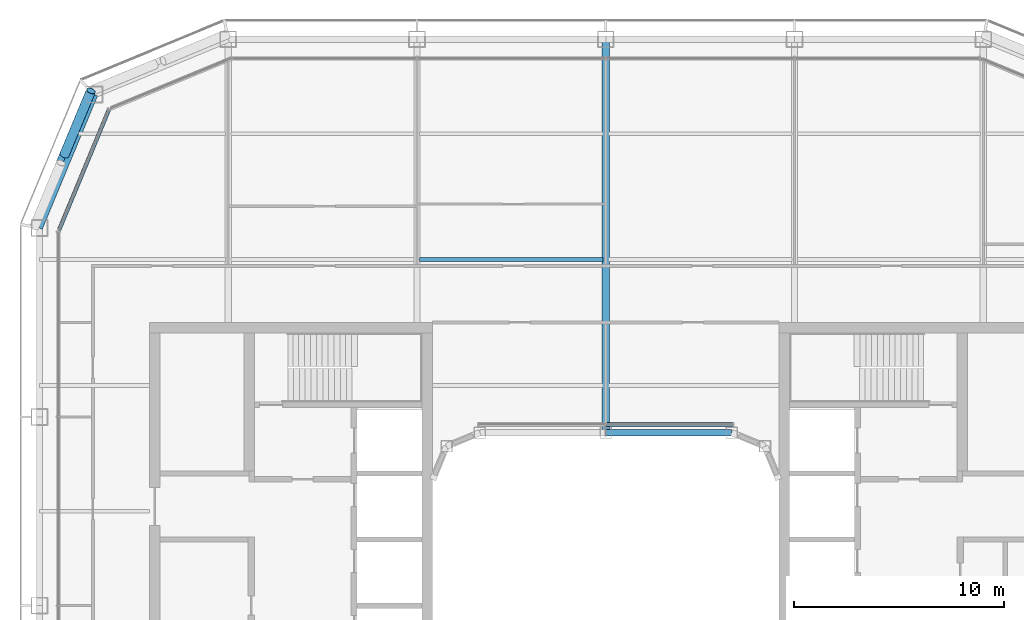
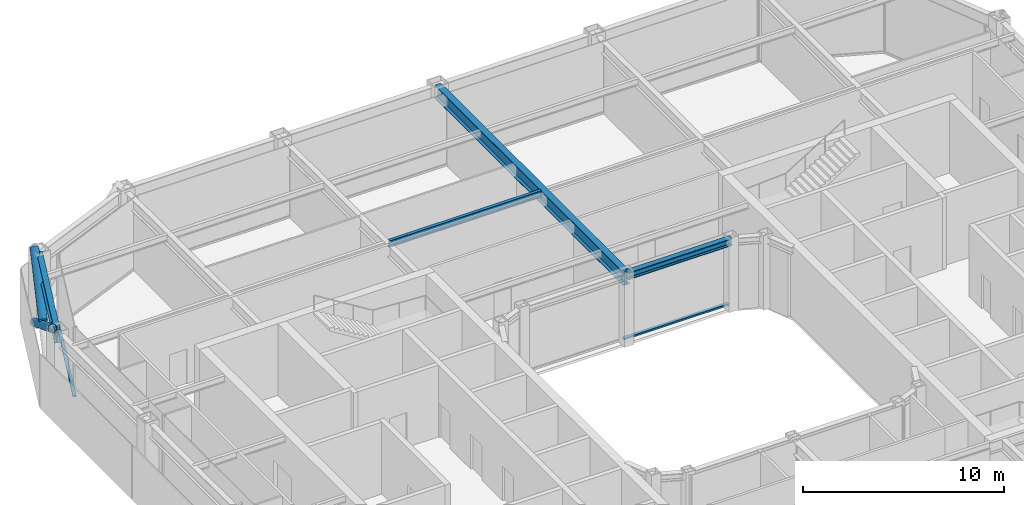
# One storey, part 7 of 19: 4 beams, 4 members, 2 elements without a shape of their own.
"""IFC4 building model written with IfcOpenShell, lengths in metres."""

import ifcopenshell
import ifcopenshell.guid

model = None  # the IFC model being written
_history = None  # IfcOwnerHistory: only IFC2X3 demands one
_inside = {}  # id of a spatial element -> (the spatial element, [elements in it])
_under = {}  # id of a project, library or spatial element -> (it, [spatial elements below it])
_declared = {}  # id of a project -> (the project, [libraries it declares])
_typed = {}  # id of a type object -> (the type object, [elements of that type])
_made_of = {}  # id of a material, layer set ... -> (it, [elements and type objects made of it])


def new_model(schema):
    """Start an empty IFC model of exactly this schema.

    Asked for "IFC4X3", IfcOpenShell would pick the latest addendum, in which some entities
    have other attributes; the version numbers below select the first issue.
    IFC2X3 requires an IfcOwnerHistory on every rooted entity: one is made here for all.
    """
    global model, _history
    if schema == "IFC4X3":
        model = ifcopenshell.file(schema_version=(4, 3, 0, 0))
    else:
        model = ifcopenshell.file(schema=schema)
    _inside.clear()
    _under.clear()
    _declared.clear()
    _typed.clear()
    _made_of.clear()
    _history = None
    if model.schema == "IFC2X3":
        org = make("IfcOrganization", Name="unknown")
        user = make(
            "IfcPersonAndOrganization",
            ThePerson=make("IfcPerson", FamilyName="unknown"),
            TheOrganization=org,
        )
        app = make(
            "IfcApplication",
            ApplicationDeveloper=org,
            Version="unknown",
            ApplicationFullName="unknown",
            ApplicationIdentifier="unknown",
        )
        _history = make(
            "IfcOwnerHistory",
            OwningUser=user,
            OwningApplication=app,
            ChangeAction="ADDED",
            CreationDate=0,
        )
    return model


def make(cls, **values):
    """One entity of the class cls with the attributes given. An attribute that is None is left unset."""
    return model.create_entity(
        cls, **{name: value for name, value in values.items() if value is not None}
    )


def rooted(cls, **values):
    """An entity with a GlobalId (a new one), such as an element, a storey or a relation."""
    return make(cls, GlobalId=ifcopenshell.guid.new(), OwnerHistory=_history, **values)


def si_unit(unit_type, name, prefix=None):
    """IfcSIUnit, for example si_unit("LENGTHUNIT", "METRE", prefix="MILLI")."""
    return make("IfcSIUnit", UnitType=unit_type, Prefix=prefix, Name=name)


def assignment(units):
    """IfcUnitAssignment: the units of a project."""
    return None if units is None else make("IfcUnitAssignment", Units=units)


def point(xyz):
    """IfcCartesianPoint."""
    return None if xyz is None else make("IfcCartesianPoint", Coordinates=xyz)


def direction(xyz):
    """IfcDirection."""
    return None if xyz is None else make("IfcDirection", DirectionRatios=xyz)


def frame(location, z_axis=None, x_axis=None):
    """IfcAxis2Placement3D, a coordinate frame: its origin and axes. An axis left out is left unset."""
    return make(
        "IfcAxis2Placement3D",
        Location=point(location),
        Axis=direction(z_axis),
        RefDirection=direction(x_axis),
    )


def frame_2d(location, x_axis=None):
    """IfcAxis2Placement2D, a coordinate frame in the plane: its origin and x axis."""
    return make(
        "IfcAxis2Placement2D", Location=point(location), RefDirection=direction(x_axis)
    )


def origin():
    """The frame at (0, 0, 0) with its axes left unset."""
    return frame((0.0, 0.0, 0.0))


def origin_2d():
    """The frame at (0, 0) in the plane with its x axis left unset."""
    return frame_2d((0.0, 0.0))


def place(relative_to, where):
    """IfcLocalPlacement: puts the frame where relative to a parent placement (None: the world)."""
    return make(
        "IfcLocalPlacement", PlacementRelTo=relative_to, RelativePlacement=where
    )


def context(
    kind, dimensions, precision=None, world=None, true_north=None, identifier=None
):
    """IfcGeometricRepresentationContext, for example the 3D "Model" context."""
    return make(
        "IfcGeometricRepresentationContext",
        ContextIdentifier=identifier,
        ContextType=kind,
        CoordinateSpaceDimension=dimensions,
        Precision=precision,
        WorldCoordinateSystem=world,
        TrueNorth=true_north,
    )


def subcontext(parent, identifier, kind, view, scale=None):
    """IfcGeometricRepresentationSubContext, for example "Body" below "Model"."""
    return make(
        "IfcGeometricRepresentationSubContext",
        ContextIdentifier=identifier,
        ContextType=kind,
        ParentContext=parent,
        TargetScale=scale,
        TargetView=view,
    )


def project(units=None, contexts=None):
    """IfcProject with its units and contexts."""
    return rooted(
        "IfcProject",
        Name="project",
        RepresentationContexts=contexts,
        UnitsInContext=assignment(units),
    )


def spatial(cls, under=None, at=None, **own):
    """A site, building, storey or space (cls), placed at a placement, below another one or the project."""
    s = rooted(cls, ObjectPlacement=at, **own)
    if under is not None:
        _under.setdefault(under.id(), (under, []))[1].append(s)
    return s


def profile(cls, at=None, kind="AREA", **sizes):
    """A parametric profile (cls). Its sizes go by their IFC names, for example OverallWidth=200.0."""
    return make(cls, ProfileType=kind, Position=at, **sizes)


def rectangle(**sizes):
    """IfcRectangleProfileDef."""
    return profile("IfcRectangleProfileDef", **sizes)


def hollow_circle(**sizes):
    """IfcCircleHollowProfileDef."""
    return profile("IfcCircleHollowProfileDef", **sizes)


def i_section(**sizes):
    """IfcIShapeProfileDef."""
    return profile("IfcIShapeProfileDef", **sizes)


def extrude(swept, where, along, depth):
    """IfcExtrudedAreaSolid: the profile swept, set in the frame where, extruded along a direction by depth."""
    return make(
        "IfcExtrudedAreaSolid",
        SweptArea=swept,
        Position=where,
        ExtrudedDirection=direction(along),
        Depth=depth,
    )


def shape(context_of_items, identifier, shape_type, items):
    """IfcShapeRepresentation: the items that make up one representation, for example the "Body"."""
    return make(
        "IfcShapeRepresentation",
        ContextOfItems=context_of_items,
        RepresentationIdentifier=identifier,
        RepresentationType=shape_type,
        Items=items,
    )


def material(Name=None, Category=None):
    """IfcMaterial."""
    return make("IfcMaterial", Name=Name, Category=Category)


def layer(
    of_material, thickness, ventilated=None, Name=None, Category=None, Priority=None
):
    """IfcMaterialLayer: one layer of a wall or slab, of a material (None: an air gap)."""
    return make(
        "IfcMaterialLayer",
        Material=of_material,
        LayerThickness=thickness,
        IsVentilated=ventilated,
        Name=Name,
        Category=Category,
        Priority=Priority,
    )


def layer_set(layers, Name=None):
    """IfcMaterialLayerSet."""
    return make("IfcMaterialLayerSet", MaterialLayers=layers, LayerSetName=Name)


def material_profile(
    of_material, cross_section, Name=None, Category=None, Priority=None
):
    """IfcMaterialProfile: a cross section and its material."""
    return make(
        "IfcMaterialProfile",
        Name=Name,
        Material=of_material,
        Profile=cross_section,
        Priority=Priority,
        Category=Category,
    )


def profile_set(profiles, Name=None, composite=None):
    """IfcMaterialProfileSet."""
    return make(
        "IfcMaterialProfileSet",
        Name=Name,
        MaterialProfiles=profiles,
        CompositeProfile=composite,
    )


def made_of(thing, what):
    """Note that an element or type object is made of a material, layer set ...; save() writes the relation."""
    if what is not None:
        _made_of.setdefault(what.id(), (what, []))[1].append(thing)
    return thing


def type_object(cls, material=None, **own):
    """A type object (cls), such as IfcWallType, which elements share."""
    return made_of(rooted(cls, **own), material)


def element(
    cls,
    number,
    at=None,
    inside=None,
    cuts=None,
    type_object=None,
    material=None,
    context=None,
    identifier="Body",
    shape_type=None,
    held_by="IfcProductDefinitionShape",
    body=None,
    shapes=None,
    **own,
):
    """One element of the class cls, such as IfcWall. Its Tag is "e" and its number.

    at: its placement. inside: the storey or other place that contains it. cuts: it is an
    opening in that element (IfcRelVoidsElement). A single representation is given by context,
    identifier, shape_type and body (its items); several are given by shapes. held_by: the class
    of the entity that holds the representations. save() writes the other relations.
    """
    e = rooted(cls, Tag="e%d" % number, ObjectPlacement=at, **own)
    if body is not None:
        shapes = [shape(context, identifier, shape_type, body)]
    if shapes is not None:
        e.Representation = make(held_by, Representations=shapes)
    if inside is not None:
        _inside.setdefault(inside.id(), (inside, []))[1].append(e)
    if cuts is not None:
        rooted(
            "IfcRelVoidsElement", RelatingBuildingElement=cuts, RelatedOpeningElement=e
        )
    if type_object is not None:
        _typed.setdefault(type_object.id(), (type_object, []))[1].append(e)
    return made_of(e, material)


def aggregate(whole, parts):
    """IfcRelAggregates: a whole, such as a stair, and the parts it consists of."""
    return rooted("IfcRelAggregates", RelatingObject=whole, RelatedObjects=parts)


def save(model, path):
    """Write the relations noted so far, then the file.

    IfcRelAggregates (storeys below a building ...), IfcRelContainedInSpatialStructure (elements
    in a storey), IfcRelDefinesByType, IfcRelAssociatesMaterial and IfcRelDeclares: one each for
    every whole, place, type object, material and project.
    """
    for whole, parts in _under.values():
        aggregate(whole, parts)
    for where, things in _inside.values():
        rooted(
            "IfcRelContainedInSpatialStructure",
            RelatedElements=things,
            RelatingStructure=where,
        )
    for kind, things in _typed.values():
        rooted("IfcRelDefinesByType", RelatedObjects=things, RelatingType=kind)
    for what, things in _made_of.values():
        rooted("IfcRelAssociatesMaterial", RelatedObjects=things, RelatingMaterial=what)
    for by, libraries in _declared.values():
        rooted("IfcRelDeclares", RelatingContext=by, RelatedDefinitions=libraries)
    model.write(path)


model = new_model("IFC4")

# Units and contexts
model_context = context("Model", 3, precision=1e-05, world=origin(), true_north=direction((0.0, 1.0)))
body_context = subcontext(model_context, "Body", "Model", "MODEL_VIEW")
ifc_project = project(units=[si_unit("LENGTHUNIT", "METRE"), si_unit("AREAUNIT", "SQUARE_METRE"), si_unit("VOLUMEUNIT", "CUBIC_METRE"), si_unit("PLANEANGLEUNIT", "RADIAN"), si_unit("MASSUNIT", "GRAM", prefix="KILO")], contexts=[model_context])

# Site, building, storey
site_placement = place(None, origin())
site = spatial("IfcSite", under=ifc_project, at=site_placement, CompositionType="ELEMENT")
building_placement = place(site_placement, origin())
building = spatial("IfcBuilding", under=site, at=building_placement, Name="Siwar Civic Tower", CompositionType="ELEMENT")
storey_placement = place(building_placement, frame((0.0, 0.0, 264.699951171875)))
storey = spatial("IfcBuildingStorey", under=building, at=storey_placement, Name="L57", CompositionType="ELEMENT", Elevation=264.699951171875)

# Curtain wall, member
ifc_material_1 = material(Name="Aluminium clad insulated panel", Category="aluminium")
ifc_layer_1 = layer(ifc_material_1, 0.179931640625)
ifc_layer_set_1 = layer_set([ifc_layer_1], Name="Aluminium clad insulated panel")
curtain_wall_type_1 = type_object("IfcCurtainWallType", Name="ENV-CW-CX", PredefinedType="NOTDEFINED", material=ifc_layer_set_1)
curtain_wall_1_placement = place(storey_placement, origin())
curtain_wall_1 = element("IfcCurtainWall", 1, at=curtain_wall_1_placement, inside=storey, type_object=curtain_wall_type_1, Name="Curtain wall C NW2", PredefinedType="NOTDEFINED")
ifc_material_2 = material(Name="Aluminium 6063-T6", Category="aluminium")
ifc_material_profile_1 = material_profile(ifc_material_2, rectangle(XDim=0.179931640625, YDim=0.10009765625, at=origin_2d()), Name="AL 180x100")
ifc_profile_set_1 = profile_set([ifc_material_profile_1], Name="Aluminium 6063-T6")
member_type_1 = type_object("IfcMemberType", Name="ENV-TRANSOM-C", PredefinedType="USERDEFINED", material=ifc_profile_set_1)
member_1_placement = place(storey_placement, frame((-23.6865234375, 23.6474609375, 0.050048828125), z_axis=(-0.382691366456, -0.923876246063, 0.0), x_axis=(0.923876246063, -0.382691366456, 0.0)))
member_1 = element("IfcMember", 2, at=member_1_placement, type_object=member_type_1, Name="Transom C NW2 1", ObjectType="TRANSOM", PredefinedType="USERDEFINED", context=body_context, shape_type="SweptSolid", body=[
    extrude(rectangle(XDim=0.179931640625, YDim=0.10009765625, at=origin_2d()), origin(), (0.0, 0.0, 1.0), 6.20166015625),
])
aggregate(curtain_wall_1, [member_1])

ifc_material_3 = material(Name="Aluminium and glass", Category="aluminium")
ifc_layer_2 = layer(ifc_material_3, 0.179931640625)
ifc_layer_set_2 = layer_set([ifc_layer_2], Name="Aluminium and glass")
curtain_wall_type_2 = type_object("IfcCurtainWallType", Name="ENV-CW-W", PredefinedType="NOTDEFINED", material=ifc_layer_set_2)
curtain_wall_2_placement = place(storey_placement, origin())
curtain_wall_2 = element("IfcCurtainWall", 3, at=curtain_wall_2_placement, inside=storey, type_object=curtain_wall_type_2, Name="Curtain wall W WN", PredefinedType="NOTDEFINED")
ifc_material_4 = material(Name="Aluminium 6063-T6", Category="aluminium")
ifc_material_profile_2 = material_profile(ifc_material_4, rectangle(XDim=0.179931640625, YDim=0.10009765625, at=origin_2d()), Name="AL 180x100")
ifc_profile_set_2 = profile_set([ifc_material_profile_2], Name="Aluminium 6063-T6")
member_type_2 = type_object("IfcMemberType", Name="ENV-TRANSOM-W", PredefinedType="USERDEFINED", material=ifc_profile_set_2)
member_2_placement = place(storey_placement, frame((6.046630859375, 8.635009765625, 0.050048828125), z_axis=(-1.0, 0.0, 0.0), x_axis=(0.0, -1.0, 0.0)))
member_2 = element("IfcMember", 4, at=member_2_placement, type_object=member_type_2, Name="Transom W WN 1", ObjectType="TRANSOM", PredefinedType="USERDEFINED", context=body_context, shape_type="SweptSolid", body=[
    extrude(rectangle(XDim=0.179931640625, YDim=0.10009765625, at=origin_2d()), origin(), (0.0, 0.0, 1.0), 6.0166015625),
])
aggregate(curtain_wall_2, [member_2])

# Members
ifc_material_5 = material(Name="Steel S355", Category="steel")
ifc_material_profile_3 = material_profile(ifc_material_5, hollow_circle(Radius=0.228515625, WallThickness=0.02001953125, at=origin_2d()), Name="CHS457x20")
ifc_profile_set_3 = profile_set([ifc_material_profile_3], Name="Steel S355")
member_type_3 = type_object("IfcMemberType", Name="STR-BR-CHS457x20", PredefinedType="BRACE", material=ifc_profile_set_3)
member_3_placement = place(storey_placement, frame((-24.540771484375, 24.540771484375, 0.0), z_axis=(-0.323905527954, -0.777554562952, 0.538975055633), x_axis=(0.923108759191, -0.384538969033, 0.0)))
element("IfcMember", 5, at=member_3_placement, inside=storey, type_object=member_type_3, Name="L57/brc/CNW1-17-0-1", PredefinedType="BRACE", context=body_context, shape_type="SweptSolid", body=[
    extrude(hollow_circle(Radius=0.228515625, WallThickness=0.02001953125, at=origin_2d()), origin(), (0.0, 0.0, 1.0), 8.34912109375),
])
member_4_placement = place(storey_placement, frame((-25.81298828125, 21.486572265625, 2.383056640625), z_axis=(0.323895306243, 0.777572496853, 0.538955325357), x_axis=(-0.92311621485, 0.38452107079, 0.0)))
element("IfcMember", 6, at=member_4_placement, inside=storey, type_object=member_type_3, Name="L57/brc/CNW1-17-0-3", PredefinedType="BRACE", context=body_context, shape_type="SweptSolid", body=[
    extrude(hollow_circle(Radius=0.228515625, WallThickness=0.02001953125, at=origin_2d()), origin(), (0.0, 0.0, 1.0), 3.927978515625),
])

# Beams
ifc_material_6 = material(Name="Steel S355", Category="steel")
ifc_material_profile_4 = material_profile(ifc_material_6, i_section(OverallWidth=0.179931640625, OverallDepth=0.39990234375, WebThickness=0.008544921875, FlangeThickness=0.013427734375, FilletRadius=0.02099609375, at=origin_2d()), Name="IPE400")
ifc_profile_set_4 = profile_set([ifc_material_profile_4], Name="Steel S355")
beam_type_1 = type_object("IfcBeamType", Name="STR-FB-IPE400", PredefinedType="JOIST", material=ifc_profile_set_4)
beam_1_placement = place(storey_placement, frame((-8.8701171875, 16.5, 4.150146484375), z_axis=(1.0, 0.0, 0.0), x_axis=(0.0, 1.0, 0.0)))
element("IfcBeam", 7, at=beam_1_placement, inside=storey, type_object=beam_type_1, Name="L57/bm/F033", PredefinedType="JOIST", context=body_context, shape_type="SweptSolid", body=[
    extrude(i_section(OverallWidth=0.179931640625, OverallDepth=0.39990234375, WebThickness=0.008544921875, FlangeThickness=0.013427734375, FilletRadius=0.02099609375, at=origin_2d()), origin(), (0.0, 0.0, 1.0), 8.740234375),
])
ifc_material_7 = material(Name="Steel S355", Category="steel")
ifc_material_profile_5 = material_profile(ifc_material_7, i_section(OverallWidth=0.360107421875, OverallDepth=0.800048828125, WebThickness=0.013916015625, FlangeThickness=0.031982421875, at=origin_2d()), Name="PG800x360x14x32")
ifc_profile_set_5 = profile_set([ifc_material_profile_5], Name="Steel S355")
beam_type_2 = type_object("IfcBeamType", Name="STR-PG-PG800x360x14x32", PredefinedType="BEAM", material=ifc_profile_set_5)
beam_2_placement = place(storey_placement, frame((0.0, 8.25, 3.949951171875), z_axis=(0.0, 1.0, 0.0), x_axis=(-1.0, 0.0, 0.0)))
element("IfcBeam", 8, at=beam_2_placement, inside=storey, type_object=beam_type_2, Name="L57/bm/G06", PredefinedType="BEAM", context=body_context, shape_type="SweptSolid", body=[
    extrude(i_section(OverallWidth=0.360107421875, OverallDepth=0.800048828125, WebThickness=0.013916015625, FlangeThickness=0.031982421875, at=origin_2d()), origin(), (0.0, 0.0, 1.0), 18.75),
])
ifc_material_8 = material(Name="Steel S355", Category="steel")
ifc_material_profile_6 = material_profile(ifc_material_8, i_section(OverallWidth=0.306884765625, OverallDepth=0.431884765625, WebThickness=0.02099609375, FlangeThickness=0.0400390625, FilletRadius=0.027099609375, at=origin_2d()), Name="HEM400")
ifc_profile_set_6 = profile_set([ifc_material_profile_6], Name="Steel S355")
beam_type_3 = type_object("IfcBeamType", Name="STR-RB-HEM400", PredefinedType="BEAM", material=ifc_profile_set_6)
beam_3_placement = place(storey_placement, frame((0.0, 8.25, 4.134033203125), z_axis=(1.0, 0.0, 0.0), x_axis=(0.0, 1.0, 0.0)))
element("IfcBeam", 9, at=beam_3_placement, inside=storey, type_object=beam_type_3, Name="L57/bm/RN2", PredefinedType="BEAM", context=body_context, shape_type="SweptSolid", body=[
    extrude(i_section(OverallWidth=0.306884765625, OverallDepth=0.431884765625, WebThickness=0.02099609375, FlangeThickness=0.0400390625, FilletRadius=0.027099609375, at=origin_2d()), origin(), (0.0, 0.0, 1.0), 6.0),
])
ifc_material_9 = material(Name="Steel S355", Category="steel")
ifc_material_profile_7 = material_profile(ifc_material_9, i_section(OverallWidth=0.300048828125, OverallDepth=0.800048828125, WebThickness=0.017578125, FlangeThickness=0.032958984375, FilletRadius=0.030029296875, at=origin_2d()), Name="HEB800")
ifc_profile_set_7 = profile_set([ifc_material_profile_7], Name="Steel S355")
beam_type_4 = type_object("IfcBeamType", Name="STR-SB-HEB800", PredefinedType="BEAM", material=ifc_profile_set_7)
beam_4_placement = place(storey_placement, frame((-24.364013671875, 24.364013671875, 3.949951171875), z_axis=(-0.382674207535, -0.923883353507, 0.0), x_axis=(0.923883353507, -0.382674207535, 0.0)))
element("IfcBeam", 10, at=beam_4_placement, inside=storey, type_object=beam_type_4, Name="L57/bm/SNW2-0", PredefinedType="BEAM", context=body_context, shape_type="SweptSolid", body=[
    extrude(i_section(OverallWidth=0.300048828125, OverallDepth=0.800048828125, WebThickness=0.017578125, FlangeThickness=0.032958984375, FilletRadius=0.030029296875, at=origin_2d()), origin(), (0.0, 0.0, 1.0), 6.888427734375),
])

save(model, "model.ifc")
